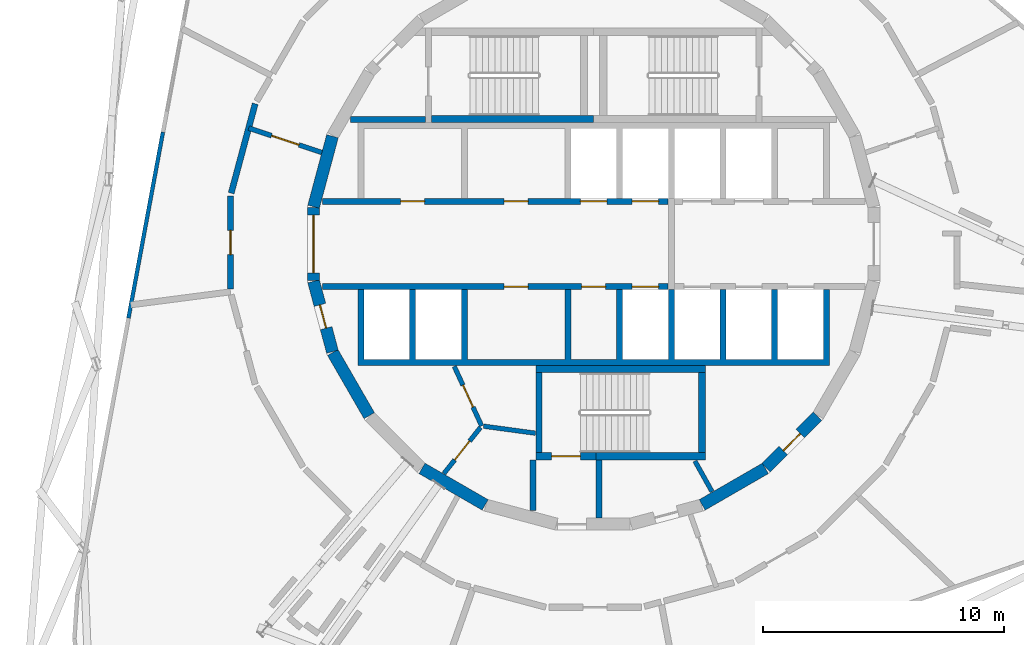
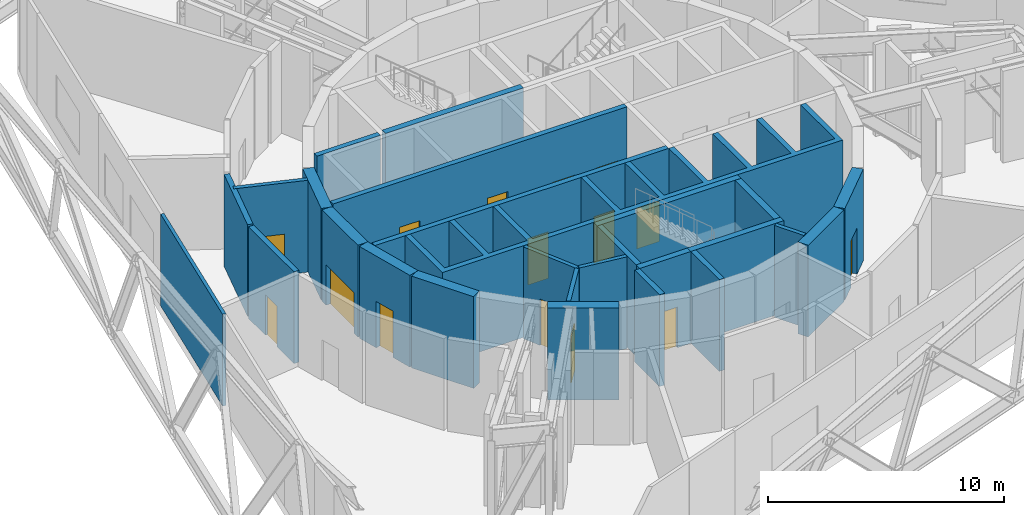
# One storey, part 6 of 12: 27 walls, 15 doors, 15 openings.
"""IFC4 building model written with IfcOpenShell, lengths in metres."""

import ifcopenshell
import ifcopenshell.guid

model = None  # the IFC model being written
_history = None  # IfcOwnerHistory: only IFC2X3 demands one
_inside = {}  # id of a spatial element -> (the spatial element, [elements in it])
_under = {}  # id of a project, library or spatial element -> (it, [spatial elements below it])
_declared = {}  # id of a project -> (the project, [libraries it declares])
_typed = {}  # id of a type object -> (the type object, [elements of that type])
_made_of = {}  # id of a material, layer set ... -> (it, [elements and type objects made of it])


def new_model(schema):
    """Start an empty IFC model of exactly this schema.

    Asked for "IFC4X3", IfcOpenShell would pick the latest addendum, in which some entities
    have other attributes; the version numbers below select the first issue.
    IFC2X3 requires an IfcOwnerHistory on every rooted entity: one is made here for all.
    """
    global model, _history
    if schema == "IFC4X3":
        model = ifcopenshell.file(schema_version=(4, 3, 0, 0))
    else:
        model = ifcopenshell.file(schema=schema)
    _inside.clear()
    _under.clear()
    _declared.clear()
    _typed.clear()
    _made_of.clear()
    _history = None
    if model.schema == "IFC2X3":
        org = make("IfcOrganization", Name="unknown")
        user = make(
            "IfcPersonAndOrganization",
            ThePerson=make("IfcPerson", FamilyName="unknown"),
            TheOrganization=org,
        )
        app = make(
            "IfcApplication",
            ApplicationDeveloper=org,
            Version="unknown",
            ApplicationFullName="unknown",
            ApplicationIdentifier="unknown",
        )
        _history = make(
            "IfcOwnerHistory",
            OwningUser=user,
            OwningApplication=app,
            ChangeAction="ADDED",
            CreationDate=0,
        )
    return model


def make(cls, **values):
    """One entity of the class cls with the attributes given. An attribute that is None is left unset."""
    return model.create_entity(
        cls, **{name: value for name, value in values.items() if value is not None}
    )


def rooted(cls, **values):
    """An entity with a GlobalId (a new one), such as an element, a storey or a relation."""
    return make(cls, GlobalId=ifcopenshell.guid.new(), OwnerHistory=_history, **values)


def si_unit(unit_type, name, prefix=None):
    """IfcSIUnit, for example si_unit("LENGTHUNIT", "METRE", prefix="MILLI")."""
    return make("IfcSIUnit", UnitType=unit_type, Prefix=prefix, Name=name)


def assignment(units):
    """IfcUnitAssignment: the units of a project."""
    return None if units is None else make("IfcUnitAssignment", Units=units)


def point(xyz):
    """IfcCartesianPoint."""
    return None if xyz is None else make("IfcCartesianPoint", Coordinates=xyz)


def direction(xyz):
    """IfcDirection."""
    return None if xyz is None else make("IfcDirection", DirectionRatios=xyz)


def frame(location, z_axis=None, x_axis=None):
    """IfcAxis2Placement3D, a coordinate frame: its origin and axes. An axis left out is left unset."""
    return make(
        "IfcAxis2Placement3D",
        Location=point(location),
        Axis=direction(z_axis),
        RefDirection=direction(x_axis),
    )


def frame_2d(location, x_axis=None):
    """IfcAxis2Placement2D, a coordinate frame in the plane: its origin and x axis."""
    return make(
        "IfcAxis2Placement2D", Location=point(location), RefDirection=direction(x_axis)
    )


def origin():
    """The frame at (0, 0, 0) with its axes left unset."""
    return frame((0.0, 0.0, 0.0))


def place(relative_to, where):
    """IfcLocalPlacement: puts the frame where relative to a parent placement (None: the world)."""
    return make(
        "IfcLocalPlacement", PlacementRelTo=relative_to, RelativePlacement=where
    )


def context(
    kind, dimensions, precision=None, world=None, true_north=None, identifier=None
):
    """IfcGeometricRepresentationContext, for example the 3D "Model" context."""
    return make(
        "IfcGeometricRepresentationContext",
        ContextIdentifier=identifier,
        ContextType=kind,
        CoordinateSpaceDimension=dimensions,
        Precision=precision,
        WorldCoordinateSystem=world,
        TrueNorth=true_north,
    )


def subcontext(parent, identifier, kind, view, scale=None):
    """IfcGeometricRepresentationSubContext, for example "Body" below "Model"."""
    return make(
        "IfcGeometricRepresentationSubContext",
        ContextIdentifier=identifier,
        ContextType=kind,
        ParentContext=parent,
        TargetScale=scale,
        TargetView=view,
    )


def project(units=None, contexts=None):
    """IfcProject with its units and contexts."""
    return rooted(
        "IfcProject",
        Name="project",
        RepresentationContexts=contexts,
        UnitsInContext=assignment(units),
    )


def spatial(cls, under=None, at=None, **own):
    """A site, building, storey or space (cls), placed at a placement, below another one or the project."""
    s = rooted(cls, ObjectPlacement=at, **own)
    if under is not None:
        _under.setdefault(under.id(), (under, []))[1].append(s)
    return s


def polyline(points):
    """IfcPolyline through the points."""
    return make("IfcPolyline", Points=[point(p) for p in points])


def profile(cls, at=None, kind="AREA", **sizes):
    """A parametric profile (cls). Its sizes go by their IFC names, for example OverallWidth=200.0."""
    return make(cls, ProfileType=kind, Position=at, **sizes)


def rectangle(**sizes):
    """IfcRectangleProfileDef."""
    return profile("IfcRectangleProfileDef", **sizes)


def outline(outer, holes=None, kind="AREA"):
    """IfcArbitraryClosedProfileDef: a profile drawn as a closed curve; with holes, ...WithVoids."""
    if holes is None:
        return make("IfcArbitraryClosedProfileDef", ProfileType=kind, OuterCurve=outer)
    return make(
        "IfcArbitraryProfileDefWithVoids",
        ProfileType=kind,
        OuterCurve=outer,
        InnerCurves=holes,
    )


def extrude(swept, where, along, depth):
    """IfcExtrudedAreaSolid: the profile swept, set in the frame where, extruded along a direction by depth."""
    return make(
        "IfcExtrudedAreaSolid",
        SweptArea=swept,
        Position=where,
        ExtrudedDirection=direction(along),
        Depth=depth,
    )


def shape(context_of_items, identifier, shape_type, items):
    """IfcShapeRepresentation: the items that make up one representation, for example the "Body"."""
    return make(
        "IfcShapeRepresentation",
        ContextOfItems=context_of_items,
        RepresentationIdentifier=identifier,
        RepresentationType=shape_type,
        Items=items,
    )


def material(Name=None, Category=None):
    """IfcMaterial."""
    return make("IfcMaterial", Name=Name, Category=Category)


def layer(
    of_material, thickness, ventilated=None, Name=None, Category=None, Priority=None
):
    """IfcMaterialLayer: one layer of a wall or slab, of a material (None: an air gap)."""
    return make(
        "IfcMaterialLayer",
        Material=of_material,
        LayerThickness=thickness,
        IsVentilated=ventilated,
        Name=Name,
        Category=Category,
        Priority=Priority,
    )


def layer_set(layers, Name=None):
    """IfcMaterialLayerSet."""
    return make("IfcMaterialLayerSet", MaterialLayers=layers, LayerSetName=Name)


def made_of(thing, what):
    """Note that an element or type object is made of a material, layer set ...; save() writes the relation."""
    if what is not None:
        _made_of.setdefault(what.id(), (what, []))[1].append(thing)
    return thing


def type_object(cls, material=None, **own):
    """A type object (cls), such as IfcWallType, which elements share."""
    return made_of(rooted(cls, **own), material)


def element(
    cls,
    number,
    at=None,
    inside=None,
    cuts=None,
    type_object=None,
    material=None,
    context=None,
    identifier="Body",
    shape_type=None,
    held_by="IfcProductDefinitionShape",
    body=None,
    shapes=None,
    **own,
):
    """One element of the class cls, such as IfcWall. Its Tag is "e" and its number.

    at: its placement. inside: the storey or other place that contains it. cuts: it is an
    opening in that element (IfcRelVoidsElement). A single representation is given by context,
    identifier, shape_type and body (its items); several are given by shapes. held_by: the class
    of the entity that holds the representations. save() writes the other relations.
    """
    e = rooted(cls, Tag="e%d" % number, ObjectPlacement=at, **own)
    if body is not None:
        shapes = [shape(context, identifier, shape_type, body)]
    if shapes is not None:
        e.Representation = make(held_by, Representations=shapes)
    if inside is not None:
        _inside.setdefault(inside.id(), (inside, []))[1].append(e)
    if cuts is not None:
        rooted(
            "IfcRelVoidsElement", RelatingBuildingElement=cuts, RelatedOpeningElement=e
        )
    if type_object is not None:
        _typed.setdefault(type_object.id(), (type_object, []))[1].append(e)
    return made_of(e, material)


def fill(opening, filler):
    """IfcRelFillsElement: the door or window that sits in an opening."""
    return rooted(
        "IfcRelFillsElement",
        RelatingOpeningElement=opening,
        RelatedBuildingElement=filler,
    )


def aggregate(whole, parts):
    """IfcRelAggregates: a whole, such as a stair, and the parts it consists of."""
    return rooted("IfcRelAggregates", RelatingObject=whole, RelatedObjects=parts)


def save(model, path):
    """Write the relations noted so far, then the file.

    IfcRelAggregates (storeys below a building ...), IfcRelContainedInSpatialStructure (elements
    in a storey), IfcRelDefinesByType, IfcRelAssociatesMaterial and IfcRelDeclares: one each for
    every whole, place, type object, material and project.
    """
    for whole, parts in _under.values():
        aggregate(whole, parts)
    for where, things in _inside.values():
        rooted(
            "IfcRelContainedInSpatialStructure",
            RelatedElements=things,
            RelatingStructure=where,
        )
    for kind, things in _typed.values():
        rooted("IfcRelDefinesByType", RelatedObjects=things, RelatingType=kind)
    for what, things in _made_of.values():
        rooted("IfcRelAssociatesMaterial", RelatedObjects=things, RelatingMaterial=what)
    for by, libraries in _declared.values():
        rooted("IfcRelDeclares", RelatingContext=by, RelatedDefinitions=libraries)
    model.write(path)


model = new_model("IFC4")

# Units and contexts
model_context = context("Model", 3, precision=1e-05, world=origin(), true_north=direction((0.0, 1.0)))
body_context = subcontext(model_context, "Body", "Model", "MODEL_VIEW")
ifc_project = project(units=[si_unit("LENGTHUNIT", "METRE"), si_unit("AREAUNIT", "SQUARE_METRE"), si_unit("VOLUMEUNIT", "CUBIC_METRE"), si_unit("PLANEANGLEUNIT", "RADIAN"), si_unit("MASSUNIT", "GRAM", prefix="KILO")], contexts=[model_context])

# Site, building, storey
site_placement = place(None, origin())
site = spatial("IfcSite", under=ifc_project, at=site_placement, CompositionType="ELEMENT")
building_placement = place(site_placement, origin())
building = spatial("IfcBuilding", under=site, at=building_placement, Name="Spindle Arch Residences", CompositionType="ELEMENT")
storey_placement = place(building_placement, frame((0.0, 0.0, 183.199951171875)))
storey = spatial("IfcBuildingStorey", under=building, at=storey_placement, Name="L46", CompositionType="ELEMENT", Elevation=183.199951171875)

# Wall
ifc_material_1 = material(Name="Concrete C50/60", Category="concrete")
ifc_layer_1 = layer(ifc_material_1, 0.5)
ifc_layer_set_1 = layer_set([ifc_layer_1], Name="Core outline wall 500")
wall_type_1 = type_object("IfcWallType", Name="Core outline wall 500", PredefinedType="SHEAR", material=ifc_layer_set_1)
wall_1_placement = place(storey_placement, frame((4.510498046875, -10.84521484375, 0.0), z_axis=(0.0, 0.0, 1.0), x_axis=(0.865975092491, 0.500087131594, 0.0)))
element("IfcWall", 1, at=wall_1_placement, inside=storey, type_object=wall_type_1, Name="Core outline wall 2", PredefinedType="SHEAR", context=body_context, shape_type="SweptSolid", body=[
    extrude(rectangle(XDim=3.03271484375, YDim=0.5, at=frame_2d((1.516357421875, 0.0))), origin(), (0.0, 0.0, 1.0), 4.75),
])

# Wall, opening, door
wall_2_placement = place(storey_placement, frame((7.163818359375, -9.30810546875, 0.0), z_axis=(0.0, 0.0, 1.0), x_axis=(0.707106781187, 0.707106781187, 0.0)))
wall_2 = element("IfcWall", 2, at=wall_2_placement, inside=storey, type_object=wall_type_1, Name="Core outline wall 3", PredefinedType="SHEAR", context=body_context, shape_type="SweptSolid", body=[
    extrude(rectangle(XDim=3.032470703125, YDim=0.5, at=frame_2d((1.51611328125, 0.0))), origin(), (0.0, 0.0, 1.0), 4.75),
])
opening_1_placement = place(wall_2_placement, frame((1.016357421875, 0.0, 0.0)))
opening_1 = element("IfcOpeningElement", 3, at=opening_1_placement, cuts=wall_2, Name="Opening L46-PD08", PredefinedType="OPENING", context=body_context, shape_type="SweptSolid", body=[
    extrude(rectangle(XDim=1.0, YDim=2.39990234375, at=frame_2d((0.5, 1.199951171875))), frame((0.0, 0.260009765625, 0.0), z_axis=(0.0, -1.0, 0.0), x_axis=(1.0, 0.0, 0.0)), (0.0, 0.0, 1.0), 0.52001953125),
])
ifc_material_2 = material(Name="Steel, fire-resisting door", Category="steel")
door_type_1 = type_object("IfcDoorType", Name="Plant room door 1000x2400", OperationType="SINGLE_SWING_LEFT", PredefinedType="DOOR", material=ifc_material_2)
door_1_placement = place(opening_1_placement, origin())
door_1 = element("IfcDoor", 4, at=door_1_placement, inside=storey, type_object=door_type_1, Name="Plant room door L46-PD08", OperationType="SINGLE_SWING_RIGHT", OverallHeight=2.39990234375, OverallWidth=1.0, PredefinedType="DOOR", context=body_context, shape_type="SweptSolid", body=[
    extrude(rectangle(XDim=1.0, YDim=2.39990234375, at=frame_2d((0.5, 1.199951171875))), frame((0.0, 0.02490234375, 0.0), z_axis=(0.0, -1.0, 0.0), x_axis=(1.0, 0.0, 0.0)), (0.0, 0.0, 1.0), 0.050048828125),
])
fill(opening_1, door_1)

# Wall
wall_3_placement = place(storey_placement, frame((-10.858154296875, 4.479248046875, 0.0), z_axis=(0.0, 0.0, 1.0), x_axis=(-0.258734743916, -0.965948410781, 0.0)))
element("IfcWall", 5, at=wall_3_placement, inside=storey, type_object=wall_type_1, Name="Core outline wall 17", PredefinedType="SHEAR", context=body_context, shape_type="SweptSolid", body=[
    extrude(rectangle(XDim=3.03271484375, YDim=0.5, at=frame_2d((1.516357421875, 0.0))), origin(), (0.0, 0.0, 1.0), 4.75),
])

# Wall, opening, door
wall_4_placement = place(storey_placement, frame((-11.647216796875, 1.516357421875, 0.0), z_axis=(0.0, 0.0, 1.0), x_axis=(0.0, -1.0, 0.0)))
wall_4 = element("IfcWall", 6, at=wall_4_placement, inside=storey, type_object=wall_type_1, Name="Core outline wall 18", PredefinedType="SHEAR", context=body_context, shape_type="SweptSolid", body=[
    extrude(rectangle(XDim=3.03271484375, YDim=0.5, at=frame_2d((1.516357421875, 0.0))), origin(), (0.0, 0.0, 1.0), 4.75),
])
opening_2_placement = place(wall_4_placement, frame((0.31640625, 0.0, 0.0)))
opening_2 = element("IfcOpeningElement", 7, at=opening_2_placement, cuts=wall_4, Name="Opening L46-LE01", PredefinedType="OPENING", context=body_context, shape_type="SweptSolid", body=[
    extrude(rectangle(XDim=2.39990234375, YDim=2.10009765625, at=frame_2d((1.199951171875, 1.050048828125))), frame((0.0, 0.260009765625, 0.0), z_axis=(0.0, -1.0, 0.0), x_axis=(1.0, 0.0, 0.0)), (0.0, 0.0, 1.0), 0.52001953125),
])
ifc_material_3 = material(Name="Steel, fire-resisting door", Category="steel")
door_type_2 = type_object("IfcDoorType", Name="Lift lobby entrance door 2400x2100", OperationType="DOUBLE_DOOR_SINGLE_SWING", PredefinedType="DOOR", material=ifc_material_3)
door_2_placement = place(opening_2_placement, origin())
door_2 = element("IfcDoor", 8, at=door_2_placement, inside=storey, type_object=door_type_2, Name="Lift lobby entrance door L46-LE01", OperationType="DOUBLE_DOOR_SINGLE_SWING", OverallHeight=2.10009765625, OverallWidth=2.39990234375, PredefinedType="DOOR", context=body_context, shape_type="SweptSolid", body=[
    extrude(rectangle(XDim=2.39990234375, YDim=2.10009765625, at=frame_2d((1.199951171875, 1.050048828125))), frame((0.0, 0.02490234375, 0.0), z_axis=(0.0, -1.0, 0.0), x_axis=(1.0, 0.0, 0.0)), (0.0, 0.0, 1.0), 0.050048828125),
])
fill(opening_2, door_2)

wall_5_placement = place(storey_placement, frame((-11.642822265625, -1.5498046875, 0.0), z_axis=(0.0, 0.0, 1.0), x_axis=(0.258734743916, -0.965948410781, 0.0)))
wall_5 = element("IfcWall", 9, at=wall_5_placement, inside=storey, type_object=wall_type_1, Name="Core outline wall 19", PredefinedType="SHEAR", context=body_context, shape_type="SweptSolid", body=[
    extrude(rectangle(XDim=3.03271484375, YDim=0.5, at=frame_2d((1.516357421875, 0.0))), origin(), (0.0, 0.0, 1.0), 4.75),
])
opening_3_placement = place(wall_5_placement, frame((1.016357421875, 0.0, 0.0)))
opening_3 = element("IfcOpeningElement", 10, at=opening_3_placement, cuts=wall_5, Name="Opening L46-PD10", PredefinedType="OPENING", context=body_context, shape_type="SweptSolid", body=[
    extrude(rectangle(XDim=1.0, YDim=2.39990234375, at=frame_2d((0.5, 1.199951171875))), frame((0.0, 0.260009765625, 0.0), z_axis=(0.0, -1.0, 0.0), x_axis=(1.0, 0.0, 0.0)), (0.0, 0.0, 1.0), 0.52001953125),
])
door_3_placement = place(opening_3_placement, origin())
door_3 = element("IfcDoor", 11, at=door_3_placement, inside=storey, type_object=door_type_1, Name="Plant room door L46-PD10", OperationType="SINGLE_SWING_RIGHT", OverallHeight=2.39990234375, OverallWidth=1.0, PredefinedType="DOOR", context=body_context, shape_type="SweptSolid", body=[
    extrude(rectangle(XDim=1.0, YDim=2.39990234375, at=frame_2d((0.5, 1.199951171875))), frame((0.0, 0.02490234375, 0.0), z_axis=(0.0, -1.0, 0.0), x_axis=(1.0, 0.0, 0.0)), (0.0, 0.0, 1.0), 0.050048828125),
])
fill(opening_3, door_3)

# Walls
for number, where, z_axis, x_axis, name in (
    (12, (-10.84521484375, -4.510498046875, 0.0), (0.0, 0.0, 1.0), (0.500087131594, -0.865975092491, 0.0), "Core outline wall 20"),
    (13, (-7.13671875, -9.32861328125, 0.0), (0.0, 0.0, 1.0), (0.865975092491, -0.500087131594, 0.0), "Core outline wall 22"),
):
    element("IfcWall", number, at=place(storey_placement, frame(where, z_axis=z_axis, x_axis=x_axis)), inside=storey, type_object=wall_type_1, Name=name, PredefinedType="SHEAR", context=body_context, shape_type="SweptSolid", body=[
        extrude(rectangle(XDim=3.03271484375, YDim=0.5, at=frame_2d((1.516357421875, 0.0))), origin(), (0.0, 0.0, 1.0), 4.75),
    ])
ifc_material_4 = material(Name="Non-combustible mineral wool insulated aluminium faced external wall (K0)", Category="aluminium")
ifc_layer_2 = layer(ifc_material_4, 0.159912109375)
ifc_layer_set_2 = layer_set([ifc_layer_2], Name="Insulated external wall panel 160")
wall_type_2 = type_object("IfcWallType", Name="Insulated external wall panel 160", PredefinedType="STANDARD", material=ifc_layer_set_2)
wall_6_placement = place(storey_placement, frame((-17.9052734375, 4.65087890625, 0.0), z_axis=(0.0, 0.0, 1.0), x_axis=(-0.182232738599, -0.98325542408, 0.0)))
element("IfcWall", 14, at=wall_6_placement, inside=storey, type_object=wall_type_2, Name="Plant wall L46 bay 15", PredefinedType="STANDARD", context=body_context, shape_type="SweptSolid", body=[
    extrude(rectangle(XDim=7.860107421875, YDim=0.159912109375, at=frame_2d((3.93017578125, 0.0))), origin(), (0.0, 0.0, 1.0), 4.75),
])

# Wall, openings, doors
ifc_material_5 = material(Name="Concrete C50/60", Category="concrete")
ifc_layer_3 = layer(ifc_material_5, 0.25)
ifc_layer_set_3 = layer_set([ifc_layer_3], Name="Lift shaft wall 250")
wall_type_3 = type_object("IfcWallType", Name="Lift shaft wall 250", PredefinedType="SHEAR", material=ifc_layer_set_3)
wall_7_placement = place(storey_placement, frame((-11.280029296875, 1.77490234375, 0.0), z_axis=(0.0, 0.0, 1.0), x_axis=(1.0, 0.0, 0.0)))
wall_7 = element("IfcWall", 15, at=wall_7_placement, inside=storey, type_object=wall_type_3, Name="Lift shaft front wall NW", PredefinedType="SHEAR", context=body_context, shape_type="SweptSolid", body=[
    extrude(rectangle(XDim=14.380126953125, YDim=0.25, at=frame_2d((7.18994140625, 0.0))), origin(), (0.0, 0.0, 1.0), 4.75),
])
opening_4_placement = place(wall_7_placement, frame((10.72998046875, 0.0, 0.0)))
opening_4 = element("IfcOpeningElement", 16, at=opening_4_placement, cuts=wall_7, Name="Opening L46-LD01", PredefinedType="OPENING", context=body_context, shape_type="SweptSolid", body=[
    extrude(rectangle(XDim=1.10009765625, YDim=2.10009765625, at=frame_2d((0.550048828125, 1.050048828125))), frame((0.0, 0.135009765625, 0.0), z_axis=(0.0, -1.0, 0.0), x_axis=(1.0, 0.0, 0.0)), (0.0, 0.0, 1.0), 0.27001953125),
])
opening_5_placement = place(wall_7_placement, frame((12.8798828125, 0.0, 0.0)))
opening_5 = element("IfcOpeningElement", 17, at=opening_5_placement, cuts=wall_7, Name="Opening L46-LD02", PredefinedType="OPENING", context=body_context, shape_type="SweptSolid", body=[
    extrude(rectangle(XDim=1.10009765625, YDim=2.10009765625, at=frame_2d((0.550048828125, 1.050048828125))), frame((0.0, 0.135009765625, 0.0), z_axis=(0.0, -1.0, 0.0), x_axis=(1.0, 0.0, 0.0)), (0.0, 0.0, 1.0), 0.27001953125),
])
opening_6_placement = place(wall_7_placement, frame((3.2548828125, 0.0, 0.0)))
opening_6 = element("IfcOpeningElement", 18, at=opening_6_placement, cuts=wall_7, Name="Opening L46-PD01", PredefinedType="OPENING", context=body_context, shape_type="SweptSolid", body=[
    extrude(rectangle(XDim=1.0, YDim=2.39990234375, at=frame_2d((0.5, 1.199951171875))), frame((0.0, 0.135009765625, 0.0), z_axis=(0.0, -1.0, 0.0), x_axis=(1.0, 0.0, 0.0)), (0.0, 0.0, 1.0), 0.27001953125),
])
opening_7_placement = place(wall_7_placement, frame((7.554931640625, 0.0, 0.0)))
opening_7 = element("IfcOpeningElement", 19, at=opening_7_placement, cuts=wall_7, Name="Opening L46-PD02", PredefinedType="OPENING", context=body_context, shape_type="SweptSolid", body=[
    extrude(rectangle(XDim=1.0, YDim=2.39990234375, at=frame_2d((0.5, 1.199951171875))), frame((0.0, 0.135009765625, 0.0), z_axis=(0.0, -1.0, 0.0), x_axis=(1.0, 0.0, 0.0)), (0.0, 0.0, 1.0), 0.27001953125),
])
ifc_material_6 = material(Name="Steel, fire-resisting landing door", Category="steel")
door_type_3 = type_object("IfcDoorType", Name="Lift landing door 1100x2100", OperationType="DOUBLE_DOOR_SLIDING", PredefinedType="DOOR", material=ifc_material_6)
door_4_placement = place(opening_4_placement, origin())
door_4 = element("IfcDoor", 20, at=door_4_placement, inside=storey, type_object=door_type_3, Name="Lift landing door L46-LD01", OperationType="DOUBLE_DOOR_SLIDING", OverallHeight=2.10009765625, OverallWidth=1.10009765625, PredefinedType="DOOR", context=body_context, shape_type="SweptSolid", body=[
    extrude(rectangle(XDim=1.10009765625, YDim=2.10009765625, at=frame_2d((0.550048828125, 1.050048828125))), frame((0.0, 0.02490234375, 0.0), z_axis=(0.0, -1.0, 0.0), x_axis=(1.0, 0.0, 0.0)), (0.0, 0.0, 1.0), 0.050048828125),
])
fill(opening_4, door_4)
door_5_placement = place(opening_5_placement, origin())
door_5 = element("IfcDoor", 21, at=door_5_placement, inside=storey, type_object=door_type_3, Name="Lift landing door L46-LD02", OperationType="DOUBLE_DOOR_SLIDING", OverallHeight=2.10009765625, OverallWidth=1.10009765625, PredefinedType="DOOR", context=body_context, shape_type="SweptSolid", body=[
    extrude(rectangle(XDim=1.10009765625, YDim=2.10009765625, at=frame_2d((0.550048828125, 1.050048828125))), frame((0.0, 0.02490234375, 0.0), z_axis=(0.0, -1.0, 0.0), x_axis=(1.0, 0.0, 0.0)), (0.0, 0.0, 1.0), 0.050048828125),
])
fill(opening_5, door_5)
door_6_placement = place(opening_6_placement, origin())
door_6 = element("IfcDoor", 22, at=door_6_placement, inside=storey, type_object=door_type_1, Name="Plant room door L46-PD01", OperationType="SINGLE_SWING_LEFT", OverallHeight=2.39990234375, OverallWidth=1.0, PredefinedType="DOOR", context=body_context, shape_type="SweptSolid", body=[
    extrude(rectangle(XDim=1.0, YDim=2.39990234375, at=frame_2d((0.5, 1.199951171875))), frame((0.0, 0.02490234375, 0.0), z_axis=(0.0, -1.0, 0.0), x_axis=(1.0, 0.0, 0.0)), (0.0, 0.0, 1.0), 0.050048828125),
])
fill(opening_6, door_6)
door_7_placement = place(opening_7_placement, origin())
door_7 = element("IfcDoor", 23, at=door_7_placement, inside=storey, type_object=door_type_1, Name="Plant room door L46-PD02", OperationType="SINGLE_SWING_RIGHT", OverallHeight=2.39990234375, OverallWidth=1.0, PredefinedType="DOOR", context=body_context, shape_type="SweptSolid", body=[
    extrude(rectangle(XDim=1.0, YDim=2.39990234375, at=frame_2d((0.5, 1.199951171875))), frame((0.0, 0.02490234375, 0.0), z_axis=(0.0, -1.0, 0.0), x_axis=(1.0, 0.0, 0.0)), (0.0, 0.0, 1.0), 0.050048828125),
])
fill(opening_7, door_7)

wall_8_placement = place(storey_placement, frame((-11.280029296875, -1.77490234375, 0.0), z_axis=(0.0, 0.0, 1.0), x_axis=(1.0, 0.0, 0.0)))
wall_8 = element("IfcWall", 24, at=wall_8_placement, inside=storey, type_object=wall_type_3, Name="Lift shaft front wall SW", PredefinedType="SHEAR", context=body_context, shape_type="SweptSolid", body=[
    extrude(rectangle(XDim=14.380126953125, YDim=0.25, at=frame_2d((7.18994140625, 0.0))), origin(), (0.0, 0.0, 1.0), 4.75),
])
opening_8_placement = place(wall_8_placement, frame((12.8798828125, 0.0, 0.0)))
opening_8 = element("IfcOpeningElement", 25, at=opening_8_placement, cuts=wall_8, Name="Opening L46-LD03", PredefinedType="OPENING", context=body_context, shape_type="SweptSolid", body=[
    extrude(rectangle(XDim=1.10009765625, YDim=2.10009765625, at=frame_2d((0.550048828125, 1.050048828125))), frame((0.0, 0.135009765625, 0.0), z_axis=(0.0, -1.0, 0.0), x_axis=(1.0, 0.0, 0.0)), (0.0, 0.0, 1.0), 0.27001953125),
])
opening_9_placement = place(wall_8_placement, frame((7.554931640625, 0.0, 0.0)))
opening_9 = element("IfcOpeningElement", 26, at=opening_9_placement, cuts=wall_8, Name="Opening L46-PD04", PredefinedType="OPENING", context=body_context, shape_type="SweptSolid", body=[
    extrude(rectangle(XDim=1.0, YDim=2.39990234375, at=frame_2d((0.5, 1.199951171875))), frame((0.0, 0.135009765625, 0.0), z_axis=(0.0, -1.0, 0.0), x_axis=(1.0, 0.0, 0.0)), (0.0, 0.0, 1.0), 0.27001953125),
])
opening_10_placement = place(wall_8_placement, frame((10.780029296875, 0.0, 0.0)))
opening_10 = element("IfcOpeningElement", 27, at=opening_10_placement, cuts=wall_8, Name="Opening L46-PD05", PredefinedType="OPENING", context=body_context, shape_type="SweptSolid", body=[
    extrude(rectangle(XDim=1.0, YDim=2.39990234375, at=frame_2d((0.5, 1.199951171875))), frame((0.0, 0.135009765625, 0.0), z_axis=(0.0, -1.0, 0.0), x_axis=(1.0, 0.0, 0.0)), (0.0, 0.0, 1.0), 0.27001953125),
])
door_8_placement = place(opening_8_placement, origin())
door_8 = element("IfcDoor", 28, at=door_8_placement, inside=storey, type_object=door_type_3, Name="Lift landing door L46-LD03", OperationType="DOUBLE_DOOR_SLIDING", OverallHeight=2.10009765625, OverallWidth=1.10009765625, PredefinedType="DOOR", context=body_context, shape_type="SweptSolid", body=[
    extrude(rectangle(XDim=1.10009765625, YDim=2.10009765625, at=frame_2d((0.550048828125, 1.050048828125))), frame((0.0, 0.02490234375, 0.0), z_axis=(0.0, -1.0, 0.0), x_axis=(1.0, 0.0, 0.0)), (0.0, 0.0, 1.0), 0.050048828125),
])
fill(opening_8, door_8)
door_9_placement = place(opening_9_placement, origin())
door_9 = element("IfcDoor", 29, at=door_9_placement, inside=storey, type_object=door_type_1, Name="Plant room door L46-PD04", OperationType="SINGLE_SWING_RIGHT", OverallHeight=2.39990234375, OverallWidth=1.0, PredefinedType="DOOR", context=body_context, shape_type="SweptSolid", body=[
    extrude(rectangle(XDim=1.0, YDim=2.39990234375, at=frame_2d((0.5, 1.199951171875))), frame((0.0, 0.02490234375, 0.0), z_axis=(0.0, -1.0, 0.0), x_axis=(1.0, 0.0, 0.0)), (0.0, 0.0, 1.0), 0.050048828125),
])
fill(opening_9, door_9)
door_10_placement = place(opening_10_placement, origin())
door_10 = element("IfcDoor", 30, at=door_10_placement, inside=storey, type_object=door_type_1, Name="Plant room door L46-PD05", OperationType="SINGLE_SWING_LEFT", OverallHeight=2.39990234375, OverallWidth=1.0, PredefinedType="DOOR", context=body_context, shape_type="SweptSolid", body=[
    extrude(rectangle(XDim=1.0, YDim=2.39990234375, at=frame_2d((0.5, 1.199951171875))), frame((0.0, 0.02490234375, 0.0), z_axis=(0.0, -1.0, 0.0), x_axis=(1.0, 0.0, 0.0)), (0.0, 0.0, 1.0), 0.050048828125),
])
fill(opening_10, door_10)

# Wall
ifc_material_7 = material(Name="Concrete C50/60", Category="concrete")
wall_type_4 = type_object("IfcWallType", Name="Lift shaft wall profile", PredefinedType="SHEAR", material=ifc_material_7)
wall_9_placement = place(storey_placement, origin())
element("IfcWall", 31, at=wall_9_placement, inside=storey, type_object=wall_type_4, Name="Lift shaft walls S", PredefinedType="SHEAR", context=body_context, shape_type="SweptSolid", body=[
    extrude(outline(polyline([(9.800048828125, -5.050048828125), (9.800048828125, -4.800048828125), (9.800048828125, -1.89990234375), (9.550048828125, -1.89990234375), (9.550048828125, -4.800048828125), (7.64990234375, -4.800048828125), (7.64990234375, -1.89990234375), (7.39990234375, -1.89990234375), (7.39990234375, -4.800048828125), (5.5, -4.800048828125), (5.5, -1.89990234375), (5.25, -1.89990234375), (5.25, -4.800048828125), (3.35009765625, -4.800048828125), (3.35009765625, -1.89990234375), (3.10009765625, -1.89990234375), (3.10009765625, -4.800048828125), (1.199951171875, -4.800048828125), (1.199951171875, -1.89990234375), (0.949951171875, -1.89990234375), (0.949951171875, -4.800048828125), (-0.949951171875, -4.800048828125), (-0.949951171875, -1.89990234375), (-1.199951171875, -1.89990234375), (-1.199951171875, -4.800048828125), (-5.25, -4.800048828125), (-5.25, -1.89990234375), (-5.5, -1.89990234375), (-5.5, -4.800048828125), (-7.39990234375, -4.800048828125), (-7.39990234375, -1.89990234375), (-7.64990234375, -1.89990234375), (-7.64990234375, -4.800048828125), (-9.550048828125, -4.800048828125), (-9.550048828125, -1.89990234375), (-9.800048828125, -1.89990234375), (-9.800048828125, -4.800048828125), (-9.800048828125, -5.050048828125), (9.800048828125, -5.050048828125)])), origin(), (0.0, 0.0, 1.0), 4.75),
])

# Wall, opening, door
ifc_material_8 = material(Name="Concrete C25/30 wall", Category="concrete")
ifc_layer_4 = layer(ifc_material_8, 0.25)
ifc_layer_set_4 = layer_set([ifc_layer_4], Name="Partition EI 120 250 plant")
wall_type_5 = type_object("IfcWallType", Name="Partition EI 120 250 plant", PredefinedType="PARTITIONING", material=ifc_layer_set_4)
wall_10_placement = place(storey_placement, frame((-15.10009765625, 1.989990234375, 0.0), z_axis=(0.0, 0.0, 1.0), x_axis=(0.0, -1.0, 0.0)))
wall_10 = element("IfcWall", 32, at=wall_10_placement, inside=storey, type_object=wall_type_5, Name="L46-W003", PredefinedType="PARTITIONING", context=body_context, shape_type="SweptSolid", body=[
    extrude(rectangle(XDim=3.85498046875, YDim=0.25, at=frame_2d((1.927490234375, 0.0))), origin(), (0.0, 0.0, 1.0), 4.75),
])
opening_11_placement = place(wall_10_placement, frame((1.427490234375, 0.0, 0.0)))
opening_11 = element("IfcOpeningElement", 33, at=opening_11_placement, cuts=wall_10, Name="Opening L46-D06", PredefinedType="OPENING", context=body_context, shape_type="SweptSolid", body=[
    extrude(rectangle(XDim=1.0, YDim=2.10009765625, at=frame_2d((0.5, 1.050048828125))), frame((0.0, 0.135009765625, 0.0), z_axis=(0.0, -1.0, 0.0), x_axis=(1.0, 0.0, 0.0)), (0.0, 0.0, 1.0), 0.27001953125),
])
ifc_material_9 = material(Name="Steel door leaf, painted", Category="steel")
door_type_4 = type_object("IfcDoorType", Name="Door 1000x2100 EI 60", OperationType="SINGLE_SWING_LEFT", PredefinedType="DOOR", material=ifc_material_9)
door_11_placement = place(opening_11_placement, origin())
door_11 = element("IfcDoor", 34, at=door_11_placement, inside=storey, type_object=door_type_4, Name="L46-D06", OperationType="SINGLE_SWING_LEFT", OverallHeight=2.10009765625, OverallWidth=1.0, PredefinedType="DOOR", context=body_context, shape_type="SweptSolid", body=[
    extrude(rectangle(XDim=1.0, YDim=2.10009765625, at=frame_2d((0.5, 1.050048828125))), frame((0.0, 0.02490234375, 0.0), z_axis=(0.0, -1.0, 0.0), x_axis=(1.0, 0.0, 0.0)), (0.0, 0.0, 1.0), 0.050048828125),
])
fill(opening_11, door_11)

# Wall
wall_11_placement = place(storey_placement, frame((-14.070068359375, 5.830078125, 0.0), z_axis=(0.0, 0.0, 1.0), x_axis=(-0.259059323171, -0.965861411942, 0.0)))
element("IfcWall", 35, at=wall_11_placement, inside=storey, type_object=wall_type_5, Name="L46-W005", PredefinedType="PARTITIONING", context=body_context, shape_type="SweptSolid", body=[
    extrude(rectangle(XDim=3.8505859375, YDim=0.25, at=frame_2d((1.92529296875, 0.0))), origin(), (0.0, 0.0, 1.0), 4.75),
])

# Wall, opening, door
ifc_material_10 = material(Name="Gypsum board partition on steel studs", Category="steel")
ifc_layer_5 = layer(ifc_material_10, 0.199951171875)
ifc_layer_set_5 = layer_set([ifc_layer_5], Name="Partition EI 60 200 amenity")
wall_type_6 = type_object("IfcWallType", Name="Partition EI 60 200 amenity", PredefinedType="PARTITIONING", material=ifc_layer_set_5)
wall_12_placement = place(storey_placement, frame((-11.300048828125, 3.800048828125, 0.0), z_axis=(0.0, 0.0, 1.0), x_axis=(-0.94805712629, 0.318100118345, 0.0)))
wall_12 = element("IfcWall", 36, at=wall_12_placement, inside=storey, type_object=wall_type_6, Name="L46-W012", PredefinedType="PARTITIONING", context=body_context, shape_type="SweptSolid", body=[
    extrude(rectangle(XDim=3.20654296875, YDim=0.199951171875, at=frame_2d((1.603271484375, 0.0))), origin(), (0.0, 0.0, 1.0), 4.75),
])
opening_12_placement = place(wall_12_placement, frame((1.00341796875, 0.0, 0.0)))
opening_12 = element("IfcOpeningElement", 37, at=opening_12_placement, cuts=wall_12, Name="Opening L46-D12", PredefinedType="OPENING", context=body_context, shape_type="SweptSolid", body=[
    extrude(rectangle(XDim=1.199951171875, YDim=2.10009765625, at=frame_2d((0.60009765625, 1.050048828125))), frame((0.0, 0.10986328125, 0.0), z_axis=(0.0, -1.0, 0.0), x_axis=(1.0, 0.0, 0.0)), (0.0, 0.0, 1.0), 0.219970703125),
])
ifc_material_11 = material(Name="Steel door leaf, painted", Category="steel")
door_type_5 = type_object("IfcDoorType", Name="Door 1200x2100 EI 60", OperationType="SINGLE_SWING_LEFT", PredefinedType="DOOR", material=ifc_material_11)
door_12_placement = place(opening_12_placement, origin())
door_12 = element("IfcDoor", 38, at=door_12_placement, inside=storey, type_object=door_type_5, Name="L46-D12", OperationType="SINGLE_SWING_LEFT", OverallHeight=2.10009765625, OverallWidth=1.199951171875, PredefinedType="DOOR", context=body_context, shape_type="SweptSolid", body=[
    extrude(rectangle(XDim=1.199951171875, YDim=2.10009765625, at=frame_2d((0.60009765625, 1.050048828125))), frame((0.0, 0.02490234375, 0.0), z_axis=(0.0, -1.0, 0.0), x_axis=(1.0, 0.0, 0.0)), (0.0, 0.0, 1.0), 0.050048828125),
])
fill(opening_12, door_12)

# Wall
ifc_material_12 = material(Name="Concrete C25/30", Category="concrete")
ifc_layer_6 = layer(ifc_material_12, 0.18994140625)
ifc_layer_set_6 = layer_set([ifc_layer_6], Name="Plant room partition 190")
wall_type_7 = type_object("IfcWallType", Name="Plant room partition 190", PredefinedType="PARTITIONING", material=ifc_layer_set_6)
wall_13_placement = place(storey_placement, frame((4.922119140625, -10.295654296875, 0.0), z_axis=(0.0, 0.0, 1.0), x_axis=(-0.48860846254, 0.872503163509, 0.0)))
element("IfcWall", 39, at=wall_13_placement, inside=storey, type_object=wall_type_7, Name="Core plant room partition", PredefinedType="PARTITIONING", context=body_context, shape_type="SweptSolid", body=[
    extrude(rectangle(XDim=1.45947265625, YDim=0.18994140625, at=frame_2d((0.729736328125, 0.0))), origin(), (0.0, 0.0, 1.0), 4.75),
])

# Wall, opening, door
wall_14_placement = place(storey_placement, frame((-5.794921875, -5.086181640625, 0.0), z_axis=(0.0, 0.0, 1.0), x_axis=(0.417887867606, -0.908498613157, 0.0)))
wall_14 = element("IfcWall", 40, at=wall_14_placement, inside=storey, type_object=wall_type_7, Name="Core plant room partition", PredefinedType="PARTITIONING", context=body_context, shape_type="SweptSolid", body=[
    extrude(rectangle(XDim=2.72607421875, YDim=0.18994140625, at=frame_2d((1.363037109375, 0.0))), origin(), (0.0, 0.0, 1.0), 4.75),
])
opening_13_placement = place(wall_14_placement, frame((0.86279296875, 0.0, 0.0)))
opening_13 = element("IfcOpeningElement", 41, at=opening_13_placement, cuts=wall_14, Name="Opening L46-PD06", PredefinedType="OPENING", context=body_context, shape_type="SweptSolid", body=[
    extrude(rectangle(XDim=1.0, YDim=2.39990234375, at=frame_2d((0.5, 1.199951171875))), frame((0.0, 0.10498046875, 0.0), z_axis=(0.0, -1.0, 0.0), x_axis=(1.0, 0.0, 0.0)), (0.0, 0.0, 1.0), 0.2099609375),
])
door_13_placement = place(opening_13_placement, origin())
door_13 = element("IfcDoor", 42, at=door_13_placement, inside=storey, type_object=door_type_1, Name="Plant room door L46-PD06", OperationType="SINGLE_SWING_RIGHT", OverallHeight=2.39990234375, OverallWidth=1.0, PredefinedType="DOOR", context=body_context, shape_type="SweptSolid", body=[
    extrude(rectangle(XDim=1.0, YDim=2.39990234375, at=frame_2d((0.5, 1.199951171875))), frame((0.0, 0.02490234375, 0.0), z_axis=(0.0, -1.0, 0.0), x_axis=(1.0, 0.0, 0.0)), (0.0, 0.0, 1.0), 0.050048828125),
])
fill(opening_13, door_13)

wall_15_placement = place(storey_placement, frame((-4.70556640625, -7.62548828125, 0.0), z_axis=(0.0, 0.0, 1.0), x_axis=(-0.621392599334, -0.783499353856, 0.0)))
wall_15 = element("IfcWall", 43, at=wall_15_placement, inside=storey, type_object=wall_type_7, Name="Core plant room partition", PredefinedType="PARTITIONING", context=body_context, shape_type="SweptSolid", body=[
    extrude(rectangle(XDim=2.447265625, YDim=0.18994140625, at=frame_2d((1.2236328125, 0.0))), origin(), (0.0, 0.0, 1.0), 4.75),
])
opening_14_placement = place(wall_15_placement, frame((0.7236328125, 0.0, 0.0)))
opening_14 = element("IfcOpeningElement", 44, at=opening_14_placement, cuts=wall_15, Name="Opening L46-PD07", PredefinedType="OPENING", context=body_context, shape_type="SweptSolid", body=[
    extrude(rectangle(XDim=1.0, YDim=2.39990234375, at=frame_2d((0.5, 1.199951171875))), frame((0.0, 0.10498046875, 0.0), z_axis=(0.0, -1.0, 0.0), x_axis=(1.0, 0.0, 0.0)), (0.0, 0.0, 1.0), 0.2099609375),
])
door_14_placement = place(opening_14_placement, origin())
door_14 = element("IfcDoor", 45, at=door_14_placement, inside=storey, type_object=door_type_1, Name="Plant room door L46-PD07", OperationType="SINGLE_SWING_LEFT", OverallHeight=2.39990234375, OverallWidth=1.0, PredefinedType="DOOR", context=body_context, shape_type="SweptSolid", body=[
    extrude(rectangle(XDim=1.0, YDim=2.39990234375, at=frame_2d((0.5, 1.199951171875))), frame((0.0, 0.02490234375, 0.0), z_axis=(0.0, -1.0, 0.0), x_axis=(1.0, 0.0, 0.0)), (0.0, 0.0, 1.0), 0.050048828125),
])
fill(opening_14, door_14)

# Walls
wall_16_placement = place(storey_placement, frame((-2.419921875, -7.865234375, 0.0), z_axis=(0.0, 0.0, 1.0), x_axis=(-0.990972299108, 0.134066783362, 0.0)))
element("IfcWall", 46, at=wall_16_placement, inside=storey, type_object=wall_type_7, Name="Core plant room partition", PredefinedType="PARTITIONING", context=body_context, shape_type="SweptSolid", body=[
    extrude(rectangle(XDim=2.176025390625, YDim=0.18994140625, at=frame_2d((1.087890625, 0.0))), origin(), (0.0, 0.0, 1.0), 4.75),
])
ifc_material_13 = material(Name="Concrete C40/50", Category="concrete")
ifc_layer_7 = layer(ifc_material_13, 0.25)
ifc_layer_set_7 = layer_set([ifc_layer_7], Name="Stair airlock wall 250")
wall_type_8 = type_object("IfcWallType", Name="Stair airlock wall 250", PredefinedType="SHEAR", material=ifc_layer_set_7)
wall_17_placement = place(storey_placement, frame((-7.0, 5.175048828125, 0.0), z_axis=(0.0, 0.0, 1.0), x_axis=(-1.0, 0.0, 0.0)))
element("IfcWall", 47, at=wall_17_placement, inside=storey, type_object=wall_type_8, Name="Stair ST-2 airlock wall S", PredefinedType="SHEAR", context=body_context, shape_type="SweptSolid", body=[
    extrude(rectangle(XDim=3.10009765625, YDim=0.25, at=frame_2d((1.550048828125, 0.0))), origin(), (0.0, 0.0, 1.0), 4.75),
])
wall_18_placement = place(storey_placement, frame((-2.52490234375, -8.969970703125, 0.0), z_axis=(0.0, 0.0, 1.0), x_axis=(0.0, -1.0, 0.0)))
element("IfcWall", 48, at=wall_18_placement, inside=storey, type_object=wall_type_8, Name="Stair ST-3 airlock wall W", PredefinedType="SHEAR", context=body_context, shape_type="SweptSolid", body=[
    extrude(rectangle(XDim=2.110107421875, YDim=0.25, at=frame_2d((1.05517578125, 0.0))), origin(), (0.0, 0.0, 1.0), 4.75),
])
wall_19_placement = place(storey_placement, frame((0.22509765625, -8.969970703125, 0.0), z_axis=(0.0, 0.0, 1.0), x_axis=(0.0, -1.0, 0.0)))
element("IfcWall", 49, at=wall_19_placement, inside=storey, type_object=wall_type_8, Name="Stair ST-3 airlock wall E", PredefinedType="SHEAR", context=body_context, shape_type="SweptSolid", body=[
    extrude(rectangle(XDim=2.409912109375, YDim=0.25, at=frame_2d((1.205078125, 0.0))), origin(), (0.0, 0.0, 1.0), 4.75),
])
ifc_material_14 = material(Name="Concrete C50/60", Category="concrete")
ifc_layer_8 = layer(ifc_material_14, 0.25)
ifc_layer_set_8 = layer_set([ifc_layer_8], Name="Stair enclosure wall 250")
wall_type_9 = type_object("IfcWallType", Name="Stair enclosure wall 250", PredefinedType="SHEAR", material=ifc_layer_set_8)
wall_20_placement = place(storey_placement, frame((-2.27490234375, -8.669921875, 0.0), z_axis=(0.0, 0.0, 1.0), x_axis=(0.0, 1.0, 0.0)))
element("IfcWall", 50, at=wall_20_placement, inside=storey, type_object=wall_type_9, Name="Stair ST-3 enclosure wall W", PredefinedType="SHEAR", context=body_context, shape_type="SweptSolid", body=[
    extrude(rectangle(XDim=3.31982421875, YDim=0.25, at=frame_2d((1.659912109375, 0.0))), origin(), (0.0, 0.0, 1.0), 4.75),
])
ifc_material_15 = material(Name="Concrete C50/60", Category="concrete")
ifc_layer_9 = layer(ifc_material_15, 0.300048828125)
ifc_layer_set_9 = layer_set([ifc_layer_9], Name="Stair enclosure wall 300")
wall_type_10 = type_object("IfcWallType", Name="Stair enclosure wall 300", PredefinedType="SHEAR", material=ifc_layer_set_9)
wall_21_placement = place(storey_placement, frame((-6.75, 5.199951171875, 0.0), z_axis=(0.0, 0.0, 1.0), x_axis=(1.0, 0.0, 0.0)))
element("IfcWall", 51, at=wall_21_placement, inside=storey, type_object=wall_type_10, Name="Stair ST-2 enclosure wall S", PredefinedType="SHEAR", context=body_context, shape_type="SweptSolid", body=[
    extrude(rectangle(XDim=6.75, YDim=0.300048828125, at=frame_2d((3.375, 0.0))), origin(), (0.0, 0.0, 1.0), 4.75),
])
wall_22_placement = place(storey_placement, frame((-2.39990234375, -5.199951171875, 0.0), z_axis=(0.0, 0.0, 1.0), x_axis=(1.0, 0.0, 0.0)))
element("IfcWall", 52, at=wall_22_placement, inside=storey, type_object=wall_type_10, Name="Stair ST-3 enclosure wall N", PredefinedType="SHEAR", context=body_context, shape_type="SweptSolid", body=[
    extrude(rectangle(XDim=7.0498046875, YDim=0.300048828125, at=frame_2d((3.52490234375, 0.0))), origin(), (0.0, 0.0, 1.0), 4.75),
])
wall_23_placement = place(storey_placement, frame((4.5, -8.669921875, 0.0), z_axis=(0.0, 0.0, 1.0), x_axis=(0.0, 1.0, 0.0)))
element("IfcWall", 53, at=wall_23_placement, inside=storey, type_object=wall_type_10, Name="Stair ST-3 enclosure wall E", PredefinedType="SHEAR", context=body_context, shape_type="SweptSolid", body=[
    extrude(rectangle(XDim=3.31982421875, YDim=0.300048828125, at=frame_2d((1.659912109375, 0.0))), origin(), (0.0, 0.0, 1.0), 4.75),
])
wall_24_placement = place(storey_placement, frame((0.10009765625, -8.820068359375, 0.0), z_axis=(0.0, 0.0, 1.0), x_axis=(1.0, 0.0, 0.0)))
element("IfcWall", 54, at=wall_24_placement, inside=storey, type_object=wall_type_10, Name="Stair ST-3 enclosure wall S", PredefinedType="SHEAR", context=body_context, shape_type="SweptSolid", body=[
    extrude(rectangle(XDim=4.5498046875, YDim=0.300048828125, at=frame_2d((2.27490234375, 0.0))), origin(), (0.0, 0.0, 1.0), 4.75),
])

# Wall, opening, door
wall_25_placement = place(storey_placement, frame((-2.39990234375, -8.820068359375, 0.0), z_axis=(0.0, 0.0, 1.0), x_axis=(1.0, 0.0, 0.0)))
wall_25 = element("IfcWall", 55, at=wall_25_placement, inside=storey, type_object=wall_type_10, Name="Stair ST-3 door wall", PredefinedType="SHEAR", context=body_context, shape_type="SweptSolid", body=[
    extrude(rectangle(XDim=2.5, YDim=0.300048828125, at=frame_2d((1.25, 0.0))), origin(), (0.0, 0.0, 1.0), 4.75),
])
opening_15_placement = place(wall_25_placement, frame((0.64990234375, 0.0, 0.0)))
opening_15 = element("IfcOpeningElement", 56, at=opening_15_placement, cuts=wall_25, Name="Opening L46-SD03", PredefinedType="OPENING", context=body_context, shape_type="SweptSolid", body=[
    extrude(rectangle(XDim=1.199951171875, YDim=2.10009765625, at=frame_2d((0.60009765625, 1.050048828125))), frame((0.0, 0.16015625, 0.0), z_axis=(0.0, -1.0, 0.0), x_axis=(1.0, 0.0, 0.0)), (0.0, 0.0, 1.0), 0.320068359375),
])
ifc_material_16 = material(Name="Steel, fire-resisting door", Category="steel")
door_type_6 = type_object("IfcDoorType", Name="Stair door 1200x2100", OperationType="SINGLE_SWING_RIGHT", PredefinedType="DOOR", material=ifc_material_16)
door_15_placement = place(opening_15_placement, origin())
door_15 = element("IfcDoor", 57, at=door_15_placement, inside=storey, type_object=door_type_6, Name="Stair door L46-SD03", OperationType="SINGLE_SWING_LEFT", OverallHeight=2.10009765625, OverallWidth=1.199951171875, PredefinedType="DOOR", context=body_context, shape_type="SweptSolid", body=[
    extrude(rectangle(XDim=1.199951171875, YDim=2.10009765625, at=frame_2d((0.60009765625, 1.050048828125))), frame((0.0, 0.02490234375, 0.0), z_axis=(0.0, -1.0, 0.0), x_axis=(1.0, 0.0, 0.0)), (0.0, 0.0, 1.0), 0.050048828125),
])
fill(opening_15, door_15)

save(model, "model.ifc")
